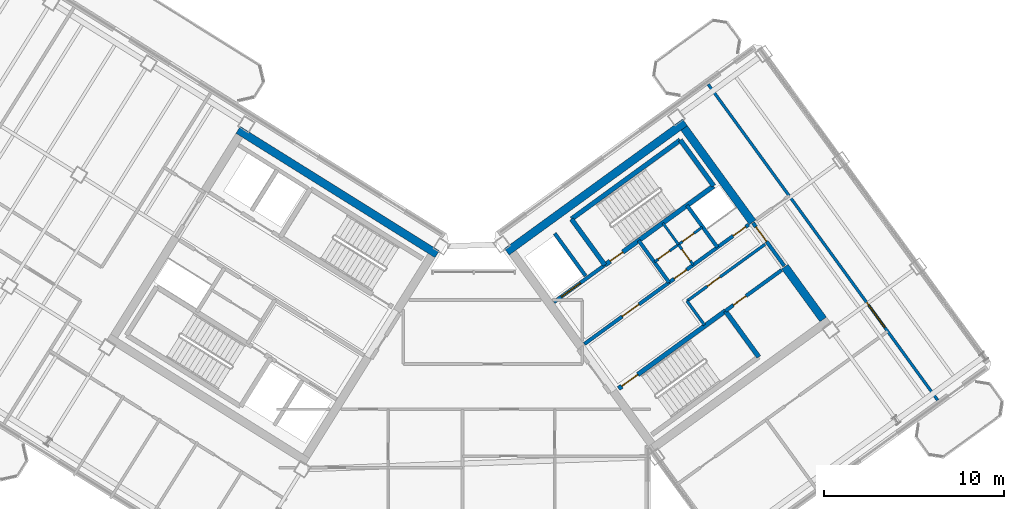
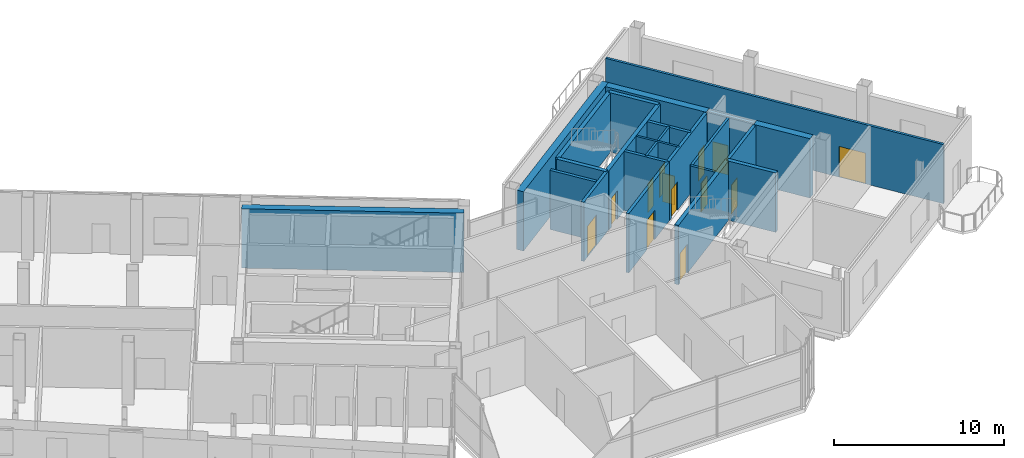
# One storey, part 19 of 27: 24 walls, 13 doors, 13 openings.
"""IFC4 building model written with IfcOpenShell, lengths in metres."""

from ifc_helpers import new_model, si_unit, direction, frame, frame_2d, origin, place, context, subcontext, project, spatial, rectangle, extrude, source, transform, mapped, material, layer, layer_set, type_object, element, fill, save


model = new_model("IFC4")

# Units and contexts
model_context = context("Model", 3, precision=1e-05, world=origin(), true_north=direction((0.0, 1.0)))
body_context = subcontext(model_context, "Body", "Model", "MODEL_VIEW")
ifc_project = project(units=[si_unit("LENGTHUNIT", "METRE"), si_unit("AREAUNIT", "SQUARE_METRE"), si_unit("VOLUMEUNIT", "CUBIC_METRE"), si_unit("PLANEANGLEUNIT", "RADIAN"), si_unit("MASSUNIT", "GRAM", prefix="KILO")], contexts=[model_context])

# Site, building, storey
site_placement = place(None, origin())
site = spatial("IfcSite", under=ifc_project, at=site_placement, CompositionType="ELEMENT")
building_placement = place(site_placement, origin())
building = spatial("IfcBuilding", under=site, at=building_placement, Name="Tlacorven Tower", CompositionType="ELEMENT")
storey_placement = place(building_placement, frame((0.0, 0.0, 254.699951171875)))
storey = spatial("IfcBuildingStorey", under=building, at=storey_placement, Name="L64", CompositionType="ELEMENT", Elevation=254.699951171875)

# Walls
ifc_material_1 = material(Name="Concrete C50/60", Category="concrete")
ifc_layer_1 = layer(ifc_material_1, 0.449951171875)
ifc_layer_set_1 = layer_set([ifc_layer_1], Name="Concrete C50/60")
wall_type_1 = type_object("IfcWallType", Name="WL-COR-450", PredefinedType="SHEAR", material=ifc_layer_set_1)
wall_1_placement = place(storey_placement, frame((40.53076171875, 24.036376953125, 0.0), z_axis=(0.0, 0.0, 1.0), x_axis=(-0.848048787466, 0.529918157905, 0.0)))
element("IfcWall", 1, at=wall_1_placement, inside=storey, type_object=wall_type_1, Name="L64 W core shear wall S1", PredefinedType="SHEAR", context=body_context, shape_type="SweptSolid", body=[
    extrude(rectangle(XDim=13.0400390625, YDim=0.449951171875, at=frame_2d((6.52001953125, 0.0))), origin(), (0.0, 0.0, 1.0), 4.25),
])
wall_2_placement = place(storey_placement, frame((44.405517578125, 24.171630859375, 0.0), z_axis=(0.0, 0.0, 1.0), x_axis=(0.809012867805, 0.587790931986, 0.0)))
element("IfcWall", 2, at=wall_2_placement, inside=storey, type_object=wall_type_1, Name="L64 E core shear wall S2", PredefinedType="SHEAR", context=body_context, shape_type="SweptSolid", body=[
    extrude(rectangle(XDim=12.239990234375, YDim=0.449951171875, at=frame_2d((6.1201171875, 0.0))), origin(), (0.0, 0.0, 1.0), 4.25),
])
wall_3_placement = place(storey_placement, frame((61.987548828125, 20.413330078125, 0.0), z_axis=(0.0, 0.0, 1.0), x_axis=(-0.587819244441, 0.808992296542, 0.0)))
element("IfcWall", 3, at=wall_3_placement, inside=storey, type_object=wall_type_1, Name="L64 E core end wall E2.1", PredefinedType="SHEAR", context=body_context, shape_type="SweptSolid", body=[
    extrude(rectangle(XDim=3.625, YDim=0.449951171875, at=frame_2d((1.8125, 0.0))), origin(), (0.0, 0.0, 1.0), 4.25),
])
wall_4_placement = place(storey_placement, frame((58.06396484375, 25.8134765625, 0.0), z_axis=(0.0, 0.0, 1.0), x_axis=(-0.587774812919, 0.809024578921, 0.0)))
element("IfcWall", 4, at=wall_4_placement, inside=storey, type_object=wall_type_1, Name="L64 E core end wall E2.2", PredefinedType="SHEAR", context=body_context, shape_type="SweptSolid", body=[
    extrude(rectangle(XDim=6.47509765625, YDim=0.449951171875, at=frame_2d((3.237548828125, 0.0))), origin(), (0.0, 0.0, 1.0), 4.25),
])

# Wall, opening, door
ifc_material_2 = material(Name="Gypsum plasterboard acoustic partition", Category="gypsum")
ifc_layer_2 = layer(ifc_material_2, 0.159912109375)
ifc_layer_set_2 = layer_set([ifc_layer_2], Name="Gypsum plasterboard acoustic partition")
wall_type_2 = type_object("IfcWallType", Name="WL-DEM-160", PredefinedType="PARTITIONING", material=ifc_layer_set_2)
wall_5_placement = place(storey_placement, frame((54.421142578125, 21.436279296875, 0.0), z_axis=(0.0, 0.0, 1.0), x_axis=(0.809013710463, 0.587789772183, 0.0)))
wall_5 = element("IfcWall", 5, at=wall_5_placement, inside=storey, type_object=wall_type_2, Name="L64 partition 29", PredefinedType="PARTITIONING", context=body_context, shape_type="SweptSolid", body=[
    extrude(rectangle(XDim=5.360107421875, YDim=0.159912109375, at=frame_2d((2.68017578125, 0.0))), origin(), (0.0, 0.0, 1.0), 4.239990234375),
])
opening_1_placement = place(wall_5_placement, frame((1.39990234375, 0.0, 0.0)))
opening_1 = element("IfcOpeningElement", 6, at=opening_1_placement, cuts=wall_5, Name="Opening D19", PredefinedType="OPENING", context=body_context, shape_type="SweptSolid", body=[
    extrude(rectangle(XDim=0.860107421875, YDim=2.050048828125, at=frame_2d((0.43017578125, 1.02490234375))), frame((0.0, 0.08984375, 0.0), z_axis=(0.0, -1.0, 0.0), x_axis=(1.0, 0.0, 0.0)), (0.0, 0.0, 1.0), 0.179931640625),
])
ifc_material_3 = material(Name="Fire-rated steel door assembly", Category="steel")
door_type_1 = type_object("IfcDoorType", Name="DR-RSR-FD60-0860", OperationType="NOTDEFINED", PredefinedType="DOOR", material=ifc_material_3)
shared_shape_1 = source(origin(), body_context, "Body", "SweptSolid", [
    extrude(rectangle(XDim=0.860107421875, YDim=2.050048828125, at=frame_2d((0.43017578125, 1.02490234375))), frame((0.0, 0.02490234375, 0.0), z_axis=(0.0, -1.0, 0.0), x_axis=(1.0, 0.0, 0.0)), (0.0, 0.0, 1.0), 0.050048828125),
])
door_1_placement = place(opening_1_placement, origin())
door_1 = element("IfcDoor", 7, at=door_1_placement, inside=storey, type_object=door_type_1, Name="L64 Freed Core Store Door", OperationType="SINGLE_SWING_LEFT", OverallHeight=2.050048828125, OverallWidth=0.860107421875, PredefinedType="DOOR", context=body_context, shape_type="MappedRepresentation", body=[
    mapped(shared_shape_1, transform((0.0, 0.0, 0.0), scale=1.0)),
])
fill(opening_1, door_1)

# Wall
wall_6_placement = place(storey_placement, frame((55.390869140625, 20.1015625, 0.0), z_axis=(0.0, 0.0, 1.0), x_axis=(-0.58778447739, 0.809017557374, 0.0)))
element("IfcWall", 8, at=wall_6_placement, inside=storey, type_object=wall_type_2, Name="L64 partition 30", PredefinedType="PARTITIONING", context=body_context, shape_type="SweptSolid", body=[
    extrude(rectangle(XDim=1.64990234375, YDim=0.159912109375, at=frame_2d((0.824951171875, 0.0))), origin(), (0.0, 0.0, 1.0), 4.239990234375),
])

# Wall, opening, door
wall_7_placement = place(storey_placement, frame((68.35302734375, 15.922119140625, 0.0), z_axis=(0.0, 0.0, 1.0), x_axis=(-0.587783631512, 0.809018171939, 0.0)))
wall_7 = element("IfcWall", 9, at=wall_7_placement, inside=storey, type_object=wall_type_2, Name="L64 partition 72", PredefinedType="PARTITIONING", context=body_context, shape_type="SweptSolid", body=[
    extrude(rectangle(XDim=21.699951171875, YDim=0.159912109375, at=frame_2d((10.85009765625, 0.0))), origin(), (0.0, 0.0, 1.0), 4.239990234375),
])
opening_2_placement = place(wall_7_placement, frame((5.0, 0.0, 0.0)))
opening_2 = element("IfcOpeningElement", 10, at=opening_2_placement, cuts=wall_7, Name="Opening D17", PredefinedType="OPENING", context=body_context, shape_type="SweptSolid", body=[
    extrude(rectangle(XDim=1.699951171875, YDim=2.199951171875, at=frame_2d((0.85009765625, 1.10009765625))), frame((0.0, 0.08984375, 0.0), z_axis=(0.0, -1.0, 0.0), x_axis=(1.0, 0.0, 0.0)), (0.0, 0.0, 1.0), 0.179931640625),
])
door_type_2 = type_object("IfcDoorType", Name="DR-COM-HALL-1700", OperationType="DOUBLE_DOOR_SINGLE_SWING", PredefinedType="DOOR", material=ifc_material_3)
shared_shape_2 = source(origin(), body_context, "Body", "SweptSolid", [
    extrude(rectangle(XDim=1.699951171875, YDim=2.199951171875, at=frame_2d((0.85009765625, 1.10009765625))), frame((0.0, 0.02490234375, 0.0), z_axis=(0.0, -1.0, 0.0), x_axis=(1.0, 0.0, 0.0)), (0.0, 0.0, 1.0), 0.050048828125),
])
door_2_placement = place(opening_2_placement, origin())
door_2 = element("IfcDoor", 11, at=door_2_placement, inside=storey, type_object=door_type_2, Name="L64 door 049", OperationType="DOUBLE_DOOR_SINGLE_SWING", OverallHeight=2.199951171875, OverallWidth=1.699951171875, PredefinedType="DOOR", context=body_context, shape_type="MappedRepresentation", body=[
    mapped(shared_shape_2, transform((0.0, 0.0, 0.0), scale=1.0)),
])
fill(opening_2, door_2)

ifc_material_4 = material(Name="Moisture-resistant gypsum plumbing wall", Category="gypsum")
ifc_layer_3 = layer(ifc_material_4, 0.139892578125)
ifc_layer_set_3 = layer_set([ifc_layer_3], Name="Moisture-resistant gypsum plumbing wall")
wall_type_3 = type_object("IfcWallType", Name="WL-PLM-140", PredefinedType="PLUMBINGWALL", material=ifc_layer_set_3)
wall_8_placement = place(storey_placement, frame((54.767578125, 23.443359375, 0.0), z_axis=(0.0, 0.0, 1.0), x_axis=(-0.587736077749, 0.809052719489, 0.0)))
wall_8 = element("IfcWall", 12, at=wall_8_placement, inside=storey, type_object=wall_type_3, Name="L64 partition 35", PredefinedType="PLUMBINGWALL", context=body_context, shape_type="SweptSolid", body=[
    extrude(rectangle(XDim=1.39990234375, YDim=0.139892578125, at=frame_2d((0.699951171875, 0.0))), origin(), (0.0, 0.0, 1.0), 4.239990234375),
])
opening_3_placement = place(wall_8_placement, frame((0.280029296875, 0.0, 0.0)))
opening_3 = element("IfcOpeningElement", 13, at=opening_3_placement, cuts=wall_8, Name="Opening D22", PredefinedType="OPENING", context=body_context, shape_type="SweptSolid", body=[
    extrude(rectangle(XDim=0.780029296875, YDim=2.050048828125, at=frame_2d((0.39013671875, 1.02490234375))), frame((0.0, 0.080078125, 0.0), z_axis=(0.0, -1.0, 0.0), x_axis=(1.0, 0.0, 0.0)), (0.0, 0.0, 1.0), 0.159912109375),
])
ifc_material_5 = material(Name="Powder-coated aluminium and timber door", Category="wood")
door_type_3 = type_object("IfcDoorType", Name="DR-INT-WET-0780", OperationType="NOTDEFINED", PredefinedType="DOOR", material=ifc_material_5)
shared_shape_3 = source(origin(), body_context, "Body", "SweptSolid", [
    extrude(rectangle(XDim=0.780029296875, YDim=2.050048828125, at=frame_2d((0.39013671875, 1.02490234375))), frame((0.0, 0.02490234375, 0.0), z_axis=(0.0, -1.0, 0.0), x_axis=(1.0, 0.0, 0.0)), (0.0, 0.0, 1.0), 0.050048828125),
])
door_3_placement = place(opening_3_placement, origin())
door_3 = element("IfcDoor", 14, at=door_3_placement, inside=storey, type_object=door_type_3, Name="L64 door 019", OperationType="SINGLE_SWING_LEFT", OverallHeight=2.050048828125, OverallWidth=0.780029296875, PredefinedType="DOOR", context=body_context, shape_type="MappedRepresentation", body=[
    mapped(shared_shape_3, transform((0.0, 0.0, 0.0), scale=1.0)),
])
fill(opening_3, door_3)

# Wall
wall_9_placement = place(storey_placement, frame((53.94482421875, 24.575927734375, 0.0), z_axis=(0.0, 0.0, 1.0), x_axis=(-0.587897037186, 0.808935766095, 0.0)))
element("IfcWall", 15, at=wall_9_placement, inside=storey, type_object=wall_type_3, Name="L64 partition 36", PredefinedType="PLUMBINGWALL", context=body_context, shape_type="SweptSolid", body=[
    extrude(rectangle(XDim=1.47998046875, YDim=0.139892578125, at=frame_2d((0.739990234375, 0.0))), origin(), (0.0, 0.0, 1.0), 4.239990234375),
])

# Wall, openings, doors
wall_10_placement = place(storey_placement, frame((52.617919921875, 23.612060546875, 0.0), z_axis=(0.0, 0.0, 1.0), x_axis=(0.809009587469, 0.587795446889, 0.0)))
wall_10 = element("IfcWall", 16, at=wall_10_placement, inside=storey, type_object=wall_type_3, Name="L64 partition 37", PredefinedType="PLUMBINGWALL", context=body_context, shape_type="SweptSolid", body=[
    extrude(rectangle(XDim=3.280029296875, YDim=0.139892578125, at=frame_2d((1.64013671875, 0.0))), origin(), (0.0, 0.0, 1.0), 4.239990234375),
])
opening_4_placement = place(wall_10_placement, frame((0.25, 0.0, 0.0)))
opening_4 = element("IfcOpeningElement", 17, at=opening_4_placement, cuts=wall_10, Name="Opening D22", PredefinedType="OPENING", context=body_context, shape_type="SweptSolid", body=[
    extrude(rectangle(XDim=0.780029296875, YDim=2.050048828125, at=frame_2d((0.39013671875, 1.02490234375))), frame((0.0, 0.080078125, 0.0), z_axis=(0.0, -1.0, 0.0), x_axis=(1.0, 0.0, 0.0)), (0.0, 0.0, 1.0), 0.159912109375),
])
opening_5_placement = place(wall_10_placement, frame((1.919921875, 0.0, 0.0)))
opening_5 = element("IfcOpeningElement", 18, at=opening_5_placement, cuts=wall_10, Name="Opening D22", PredefinedType="OPENING", context=body_context, shape_type="SweptSolid", body=[
    extrude(rectangle(XDim=0.780029296875, YDim=2.050048828125, at=frame_2d((0.39013671875, 1.02490234375))), frame((0.0, 0.080078125, 0.0), z_axis=(0.0, -1.0, 0.0), x_axis=(1.0, 0.0, 0.0)), (0.0, 0.0, 1.0), 0.159912109375),
])
door_4_placement = place(opening_4_placement, origin())
door_4 = element("IfcDoor", 19, at=door_4_placement, inside=storey, type_object=door_type_3, Name="L64 door 020", OperationType="SINGLE_SWING_RIGHT", OverallHeight=2.050048828125, OverallWidth=0.780029296875, PredefinedType="DOOR", context=body_context, shape_type="MappedRepresentation", body=[
    mapped(shared_shape_3, transform((0.0, 0.0, 0.0), scale=1.0)),
])
fill(opening_4, door_4)
door_5_placement = place(opening_5_placement, origin())
door_5 = element("IfcDoor", 20, at=door_5_placement, inside=storey, type_object=door_type_3, Name="L64 door 021", OperationType="SINGLE_SWING_LEFT", OverallHeight=2.050048828125, OverallWidth=0.780029296875, PredefinedType="DOOR", context=body_context, shape_type="MappedRepresentation", body=[
    mapped(shared_shape_3, transform((0.0, 0.0, 0.0), scale=1.0)),
])
fill(opening_5, door_5)

# Wall, opening, door
ifc_material_6 = material(Name="Concrete C40/50", Category="concrete")
ifc_layer_4 = layer(ifc_material_6, 0.199951171875)
ifc_layer_set_4 = layer_set([ifc_layer_4], Name="Concrete C40/50")
wall_type_4 = type_object("IfcWallType", Name="WL-SHF-200", PredefinedType="STANDARD", material=ifc_layer_set_4)
wall_11_placement = place(storey_placement, frame((47.02490234375, 21.3779296875, 0.0), z_axis=(0.0, 0.0, 1.0), x_axis=(0.809052869724, 0.587735870941, 0.0)))
wall_11 = element("IfcWall", 21, at=wall_11_placement, inside=storey, type_object=wall_type_4, Name="L64 Core E Firefighting Lift Shaft Front Wall", PredefinedType="STANDARD", context=body_context, shape_type="SweptSolid", body=[
    extrude(rectangle(XDim=3.498046875, YDim=0.199951171875, at=frame_2d((1.7490234375, 0.0))), origin(), (0.0, 0.0, 1.0), 4.239990234375),
])
opening_6_placement = place(wall_11_placement, frame((0.508056640625, 0.0, 0.0)))
opening_6 = element("IfcOpeningElement", 22, at=opening_6_placement, cuts=wall_11, Name="Opening LD03", PredefinedType="OPENING", context=body_context, shape_type="SweptSolid", body=[
    extrude(rectangle(XDim=1.300048828125, YDim=2.199951171875, at=frame_2d((0.64990234375, 1.10009765625))), frame((0.0, 0.10986328125, 0.0), z_axis=(0.0, -1.0, 0.0), x_axis=(1.0, 0.0, 0.0)), (0.0, 0.0, 1.0), 0.219970703125),
])
door_type_4 = type_object("IfcDoorType", Name="DR-LFT-SLID-1300", OperationType="DOUBLE_DOOR_SLIDING", PredefinedType="DOOR", material=ifc_material_3)
shared_shape_4 = source(origin(), body_context, "Body", "SweptSolid", [
    extrude(rectangle(XDim=1.300048828125, YDim=2.199951171875, at=frame_2d((0.64990234375, 1.10009765625))), frame((0.0, 0.02490234375, 0.0), z_axis=(0.0, -1.0, 0.0), x_axis=(1.0, 0.0, 0.0)), (0.0, 0.0, 1.0), 0.050048828125),
])
door_6_placement = place(opening_6_placement, origin())
door_6 = element("IfcDoor", 23, at=door_6_placement, inside=storey, type_object=door_type_4, Name="L64 Lift FFL-E1 Sliding Landing Door", OperationType="DOUBLE_DOOR_SLIDING", OverallHeight=2.199951171875, OverallWidth=1.300048828125, PredefinedType="DOOR", context=body_context, shape_type="MappedRepresentation", body=[
    mapped(shared_shape_4, transform((0.0, 0.0, 0.0), scale=1.0)),
])
fill(opening_6, door_6)

wall_12_placement = place(storey_placement, frame((48.7177734375, 19.0478515625, 0.0), z_axis=(0.0, 0.0, 1.0), x_axis=(0.809017261719, 0.587784884325, 0.0)))
wall_12 = element("IfcWall", 24, at=wall_12_placement, inside=storey, type_object=wall_type_4, Name="L64 Core E Smoke Lobby Wall", PredefinedType="STANDARD", context=body_context, shape_type="SweptSolid", body=[
    extrude(rectangle(XDim=5.81787109375, YDim=0.199951171875, at=frame_2d((2.908935546875, 0.0))), origin(), (0.0, 0.0, 1.0), 4.239990234375),
])
opening_7_placement = place(wall_12_placement, frame((2.597900390625, 0.0, 0.0)))
opening_7 = element("IfcOpeningElement", 25, at=opening_7_placement, cuts=wall_12, Name="Opening D09", PredefinedType="OPENING", context=body_context, shape_type="SweptSolid", body=[
    extrude(rectangle(XDim=1.14990234375, YDim=2.10009765625, at=frame_2d((0.574951171875, 1.050048828125))), frame((0.0, 0.10986328125, 0.0), z_axis=(0.0, -1.0, 0.0), x_axis=(1.0, 0.0, 0.0)), (0.0, 0.0, 1.0), 0.219970703125),
])
door_type_5 = type_object("IfcDoorType", Name="DR-FFL-FD60-1150", OperationType="NOTDEFINED", PredefinedType="DOOR", material=ifc_material_3)
shared_shape_5 = source(origin(), body_context, "Body", "SweptSolid", [
    extrude(rectangle(XDim=1.14990234375, YDim=2.10009765625, at=frame_2d((0.574951171875, 1.050048828125))), frame((0.0, 0.02490234375, 0.0), z_axis=(0.0, -1.0, 0.0), x_axis=(1.0, 0.0, 0.0)), (0.0, 0.0, 1.0), 0.050048828125),
])
door_7_placement = place(opening_7_placement, origin())
door_7 = element("IfcDoor", 26, at=door_7_placement, inside=storey, type_object=door_type_5, Name="L64 Firefighting Lobby E Fire Door", OperationType="SINGLE_SWING_LEFT", OverallHeight=2.10009765625, OverallWidth=1.14990234375, PredefinedType="DOOR", context=body_context, shape_type="MappedRepresentation", body=[
    mapped(shared_shape_5, transform((0.0, 0.0, 0.0), scale=1.0)),
])
fill(opening_7, door_7)

wall_13_placement = place(storey_placement, frame((56.552978515625, 20.884033203125, 0.0), z_axis=(0.0, 0.0, 1.0), x_axis=(0.809041669066, 0.587751288995, 0.0)))
wall_13 = element("IfcWall", 27, at=wall_13_placement, inside=storey, type_object=wall_type_4, Name="L64 Core E South Lift Shaft Wall", PredefinedType="STANDARD", context=body_context, shape_type="SweptSolid", body=[
    extrude(rectangle(XDim=3.867919921875, YDim=0.199951171875, at=frame_2d((1.93408203125, 0.0))), origin(), (0.0, 0.0, 1.0), 4.239990234375),
])
opening_8_placement = place(wall_13_placement, frame((0.550048828125, 0.0, 0.0)))
opening_8 = element("IfcOpeningElement", 28, at=opening_8_placement, cuts=wall_13, Name="Opening D19", PredefinedType="OPENING", context=body_context, shape_type="SweptSolid", body=[
    extrude(rectangle(XDim=0.860107421875, YDim=2.050048828125, at=frame_2d((0.43017578125, 1.02490234375))), frame((0.0, 0.10986328125, 0.0), z_axis=(0.0, -1.0, 0.0), x_axis=(1.0, 0.0, 0.0)), (0.0, 0.0, 1.0), 0.219970703125),
])
door_8_placement = place(opening_8_placement, origin())
door_8 = element("IfcDoor", 29, at=door_8_placement, inside=storey, type_object=door_type_1, Name="L64 East Telecoms Riser Access Door", OperationType="SINGLE_SWING_RIGHT", OverallHeight=2.050048828125, OverallWidth=0.860107421875, PredefinedType="DOOR", context=body_context, shape_type="MappedRepresentation", body=[
    mapped(shared_shape_1, transform((0.0, 0.0, 0.0), scale=1.0)),
])
fill(opening_8, door_8)

# Walls
wall_14_placement = place(storey_placement, frame((48.78564453125, 22.830078125, 0.0), z_axis=(0.0, 0.0, 1.0), x_axis=(-0.587783856777, 0.809018008275, 0.0)))
element("IfcWall", 30, at=wall_14_placement, inside=storey, type_object=wall_type_4, Name="L64 partition 31", PredefinedType="STANDARD", context=body_context, shape_type="SweptSolid", body=[
    extrude(rectangle(XDim=2.919921875, YDim=0.199951171875, at=frame_2d((1.4599609375, 0.0))), origin(), (0.0, 0.0, 1.0), 4.239990234375),
])
wall_15_placement = place(storey_placement, frame((53.424560546875, 22.467529296875, 0.0), z_axis=(0.0, 0.0, 1.0), x_axis=(-0.5877230039, 0.809062216821, 0.0)))
element("IfcWall", 31, at=wall_15_placement, inside=storey, type_object=wall_type_4, Name="L64 partition 32", PredefinedType="STANDARD", context=body_context, shape_type="SweptSolid", body=[
    extrude(rectangle(XDim=2.8798828125, YDim=0.199951171875, at=frame_2d((1.43994140625, 0.0))), origin(), (0.0, 0.0, 1.0), 4.239990234375),
])
wall_16_placement = place(storey_placement, frame((56.110595703125, 24.4189453125, 0.0), z_axis=(0.0, 0.0, 1.0), x_axis=(-0.58777848983, 0.809021907548, 0.0)))
element("IfcWall", 32, at=wall_16_placement, inside=storey, type_object=wall_type_4, Name="L64 partition 33", PredefinedType="STANDARD", context=body_context, shape_type="SweptSolid", body=[
    extrude(rectangle(XDim=2.880126953125, YDim=0.199951171875, at=frame_2d((1.43994140625, 0.0))), origin(), (0.0, 0.0, 1.0), 4.239990234375),
])

# Wall, openings, doors
wall_17_placement = place(storey_placement, frame((53.424560546875, 22.467529296875, 0.0), z_axis=(0.0, 0.0, 1.0), x_axis=(0.809015945709, 0.587786695655, 0.0)))
wall_17 = element("IfcWall", 33, at=wall_17_placement, inside=storey, type_object=wall_type_4, Name="L64 Core E North Service Wall", PredefinedType="STANDARD", context=body_context, shape_type="SweptSolid", body=[
    extrude(rectangle(XDim=5.46826171875, YDim=0.199951171875, at=frame_2d((2.734130859375, 0.0))), origin(), (0.0, 0.0, 1.0), 4.239990234375),
])
opening_9_placement = place(wall_17_placement, frame((4.39990234375, 0.0, 0.0)))
opening_9 = element("IfcOpeningElement", 34, at=opening_9_placement, cuts=wall_17, Name="Opening D19", PredefinedType="OPENING", context=body_context, shape_type="SweptSolid", body=[
    extrude(rectangle(XDim=0.860107421875, YDim=2.050048828125, at=frame_2d((0.43017578125, 1.02490234375))), frame((0.0, 0.10986328125, 0.0), z_axis=(0.0, -1.0, 0.0), x_axis=(1.0, 0.0, 0.0)), (0.0, 0.0, 1.0), 0.219970703125),
])
opening_10_placement = place(wall_17_placement, frame((0.35009765625, 0.0, 0.0)))
opening_10 = element("IfcOpeningElement", 35, at=opening_10_placement, cuts=wall_17, Name="Opening D19", PredefinedType="OPENING", context=body_context, shape_type="SweptSolid", body=[
    extrude(rectangle(XDim=0.860107421875, YDim=2.050048828125, at=frame_2d((0.43017578125, 1.02490234375))), frame((0.0, 0.10986328125, 0.0), z_axis=(0.0, -1.0, 0.0), x_axis=(1.0, 0.0, 0.0)), (0.0, 0.0, 1.0), 0.219970703125),
])
door_9_placement = place(opening_9_placement, frame((0.860107421875, 0.0, 0.0), z_axis=(0.0, 0.0, 1.0), x_axis=(-1.0, 0.0, 0.0)))
door_9 = element("IfcDoor", 36, at=door_9_placement, inside=storey, type_object=door_type_1, Name="L64 Electrical Riser Access Door E", OperationType="SINGLE_SWING_LEFT", OverallHeight=2.050048828125, OverallWidth=0.860107421875, PredefinedType="DOOR", context=body_context, shape_type="MappedRepresentation", body=[
    mapped(shared_shape_1, transform((0.0, 0.0, 0.0), scale=1.0)),
])
fill(opening_9, door_9)
door_10_placement = place(opening_10_placement, frame((0.860107421875, 0.0, 0.0), z_axis=(0.0, 0.0, 1.0), x_axis=(-1.0, 0.0, 0.0)))
door_10 = element("IfcDoor", 37, at=door_10_placement, inside=storey, type_object=door_type_1, Name="L64 Cleaning Room Access Door E", OperationType="SINGLE_SWING_RIGHT", OverallHeight=2.050048828125, OverallWidth=0.860107421875, PredefinedType="DOOR", context=body_context, shape_type="MappedRepresentation", body=[
    mapped(shared_shape_1, transform((0.0, 0.0, 0.0), scale=1.0)),
])
fill(opening_10, door_10)

# Wall, opening, door
wall_18_placement = place(storey_placement, frame((59.827392578125, 23.386474609375, 0.0), z_axis=(0.0, 0.0, 1.0), x_axis=(-0.587803840107, 0.809003489211, 0.0)))
wall_18 = element("IfcWall", 38, at=wall_18_placement, inside=storey, type_object=wall_type_4, Name="L64 partition 71", PredefinedType="STANDARD", context=body_context, shape_type="SweptSolid", body=[
    extrude(rectangle(XDim=2.960205078125, YDim=0.199951171875, at=frame_2d((1.47998046875, 0.0))), origin(), (0.0, 0.0, 1.0), 4.239990234375),
])
opening_11_placement = place(wall_18_placement, frame((1.679931640625, 0.0, 0.0)))
opening_11 = element("IfcOpeningElement", 39, at=opening_11_placement, cuts=wall_18, Name="Opening D11", PredefinedType="OPENING", context=body_context, shape_type="SweptSolid", body=[
    extrude(rectangle(XDim=1.0, YDim=2.10009765625, at=frame_2d((0.5, 1.050048828125))), frame((0.0, 0.10986328125, 0.0), z_axis=(0.0, -1.0, 0.0), x_axis=(1.0, 0.0, 0.0)), (0.0, 0.0, 1.0), 0.219970703125),
])
door_type_6 = type_object("IfcDoorType", Name="DR-FLT-FD60-1000", OperationType="NOTDEFINED", PredefinedType="DOOR", material=ifc_material_3)
shared_shape_6 = source(origin(), body_context, "Body", "SweptSolid", [
    extrude(rectangle(XDim=1.0, YDim=2.10009765625, at=frame_2d((0.5, 1.050048828125))), frame((0.0, 0.02490234375, 0.0), z_axis=(0.0, -1.0, 0.0), x_axis=(1.0, 0.0, 0.0)), (0.0, 0.0, 1.0), 0.050048828125),
])
door_11_placement = place(opening_11_placement, origin())
door_11 = element("IfcDoor", 40, at=door_11_placement, inside=storey, type_object=door_type_6, Name="L64 door 048", OperationType="SINGLE_SWING_LEFT", OverallHeight=2.10009765625, OverallWidth=1.0, PredefinedType="DOOR", context=body_context, shape_type="MappedRepresentation", body=[
    mapped(shared_shape_6, transform((0.0, 0.0, 0.0), scale=1.0)),
])
fill(opening_11, door_11)

# Wall
ifc_layer_5 = layer(ifc_material_1, 0.260009765625)
ifc_layer_set_5 = layer_set([ifc_layer_5], Name="Concrete C50/60")
wall_type_5 = type_object("IfcWallType", Name="WL-STW-260", PredefinedType="SHEAR", material=ifc_layer_set_5)
wall_19_placement = place(storey_placement, frame((48.005615234375, 25.996337890625, 0.0), z_axis=(0.0, 0.0, 1.0), x_axis=(0.80901903764, 0.587782439969, 0.0)))
element("IfcWall", 41, at=wall_19_placement, inside=storey, type_object=wall_type_5, Name="L64 Stair E1 Far Shear Wall", PredefinedType="SHEAR", context=body_context, shape_type="SweptSolid", body=[
    extrude(rectangle(XDim=7.4599609375, YDim=0.260009765625, at=frame_2d((3.72998046875, 0.0))), origin(), (0.0, 0.0, 1.0), 4.25),
])

# Wall, opening, door
wall_20_placement = place(storey_placement, frame((49.863037109375, 23.439697265625, 0.0), z_axis=(0.0, 0.0, 1.0), x_axis=(0.809003474932, 0.587803859759, 0.0)))
wall_20 = element("IfcWall", 42, at=wall_20_placement, inside=storey, type_object=wall_type_5, Name="L64 Stair E1 Lobby Shear Wall", PredefinedType="SHEAR", context=body_context, shape_type="SweptSolid", body=[
    extrude(rectangle(XDim=7.4599609375, YDim=0.260009765625, at=frame_2d((3.72998046875, 0.0))), origin(), (0.0, 0.0, 1.0), 4.25),
])
opening_12_placement = place(wall_20_placement, frame((0.360107421875, 0.0, 0.0)))
opening_12 = element("IfcOpeningElement", 43, at=opening_12_placement, cuts=wall_20, Name="Opening D19", PredefinedType="OPENING", context=body_context, shape_type="SweptSolid", body=[
    extrude(rectangle(XDim=0.860107421875, YDim=2.050048828125, at=frame_2d((0.43017578125, 1.02490234375))), frame((0.0, 0.14013671875, 0.0), z_axis=(0.0, -1.0, 0.0), x_axis=(1.0, 0.0, 0.0)), (0.0, 0.0, 1.0), 0.280029296875),
])
door_12_placement = place(opening_12_placement, frame((0.860107421875, 0.0, 0.0), z_axis=(0.0, 0.0, 1.0), x_axis=(-1.0, 0.0, 0.0)))
door_12 = element("IfcDoor", 44, at=door_12_placement, inside=storey, type_object=door_type_1, Name="L64 Exit Stair E1 Fire Door", OperationType="SINGLE_SWING_LEFT", OverallHeight=2.050048828125, OverallWidth=0.860107421875, PredefinedType="DOOR", context=body_context, shape_type="MappedRepresentation", body=[
    mapped(shared_shape_1, transform((0.0, 0.0, 0.0), scale=1.0)),
])
fill(opening_12, door_12)

# Walls
wall_21_placement = place(storey_placement, frame((49.85498046875, 23.433837890625, 0.0), z_axis=(0.0, 0.0, 1.0), x_axis=(-0.58776738483, 0.809029975545, 0.0)))
element("IfcWall", 45, at=wall_21_placement, inside=storey, type_object=wall_type_5, Name="L64 Stair E1 West Shear Wall", PredefinedType="SHEAR", context=body_context, shape_type="SweptSolid", body=[
    extrude(rectangle(XDim=3.16015625, YDim=0.260009765625, at=frame_2d((1.580078125, 0.0))), origin(), (0.0, 0.0, 1.0), 4.25),
])
wall_22_placement = place(storey_placement, frame((55.906494140625, 27.83056640625, 0.0), z_axis=(0.0, 0.0, 1.0), x_axis=(-0.587804123638, 0.809003283204, 0.0)))
element("IfcWall", 46, at=wall_22_placement, inside=storey, type_object=wall_type_5, Name="L64 Stair E1 East Shear Wall", PredefinedType="SHEAR", context=body_context, shape_type="SweptSolid", body=[
    extrude(rectangle(XDim=3.159912109375, YDim=0.260009765625, at=frame_2d((1.580078125, 0.0))), origin(), (0.0, 0.0, 1.0), 4.25),
])

# Wall, opening, door
wall_23_placement = place(storey_placement, frame((50.61474609375, 16.569580078125, 0.0), z_axis=(0.0, 0.0, 1.0), x_axis=(0.809028366311, 0.587769599847, 0.0)))
wall_23 = element("IfcWall", 47, at=wall_23_placement, inside=storey, type_object=wall_type_5, Name="L64 Stair E2 Lobby Shear Wall", PredefinedType="SHEAR", context=body_context, shape_type="SweptSolid", body=[
    extrude(rectangle(XDim=7.330078125, YDim=0.260009765625, at=frame_2d((3.6650390625, 0.0))), origin(), (0.0, 0.0, 1.0), 4.25),
])
opening_13_placement = place(wall_23_placement, frame((0.219970703125, 0.0, 0.0)))
opening_13 = element("IfcOpeningElement", 48, at=opening_13_placement, cuts=wall_23, Name="Opening D07", PredefinedType="OPENING", context=body_context, shape_type="SweptSolid", body=[
    extrude(rectangle(XDim=1.10009765625, YDim=2.10009765625, at=frame_2d((0.550048828125, 1.050048828125))), frame((0.0, 0.14013671875, 0.0), z_axis=(0.0, -1.0, 0.0), x_axis=(1.0, 0.0, 0.0)), (0.0, 0.0, 1.0), 0.280029296875),
])
door_type_7 = type_object("IfcDoorType", Name="DR-STR-FD90-1100", OperationType="NOTDEFINED", PredefinedType="DOOR", material=ifc_material_3)
shared_shape_7 = source(origin(), body_context, "Body", "SweptSolid", [
    extrude(rectangle(XDim=1.10009765625, YDim=2.10009765625, at=frame_2d((0.550048828125, 1.050048828125))), frame((0.0, 0.02490234375, 0.0), z_axis=(0.0, -1.0, 0.0), x_axis=(1.0, 0.0, 0.0)), (0.0, 0.0, 1.0), 0.050048828125),
])
door_13_placement = place(opening_13_placement, origin())
door_13 = element("IfcDoor", 49, at=door_13_placement, inside=storey, type_object=door_type_7, Name="L64 Exit Stair E2 Fire Door", OperationType="SINGLE_SWING_RIGHT", OverallHeight=2.10009765625, OverallWidth=1.10009765625, PredefinedType="DOOR", context=body_context, shape_type="MappedRepresentation", body=[
    mapped(shared_shape_7, transform((0.0, 0.0, 0.0), scale=1.0)),
])
fill(opening_13, door_13)

# Wall
wall_24_placement = place(storey_placement, frame((58.410400390625, 18.327392578125, 0.0), z_axis=(0.0, 0.0, 1.0), x_axis=(-0.58776738483, 0.809029975545, 0.0)))
element("IfcWall", 50, at=wall_24_placement, inside=storey, type_object=wall_type_5, Name="L64 Stair E2 East Shear Wall", PredefinedType="SHEAR", context=body_context, shape_type="SweptSolid", body=[
    extrude(rectangle(XDim=3.16015625, YDim=0.260009765625, at=frame_2d((1.580078125, 0.0))), origin(), (0.0, 0.0, 1.0), 4.25),
])

save(model, "model.ifc")
